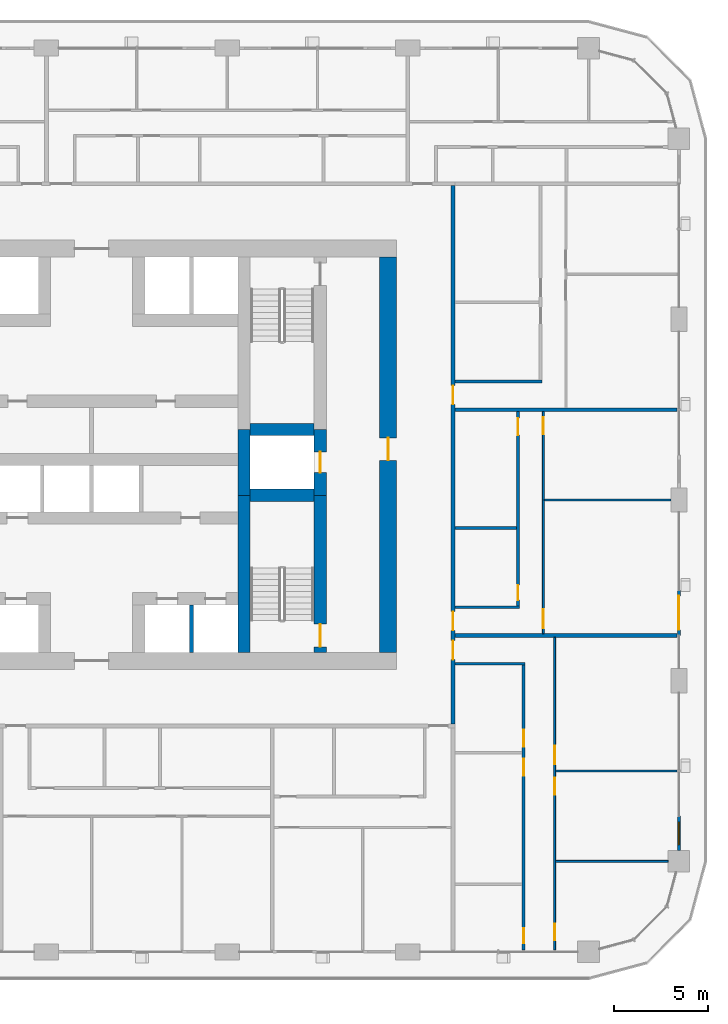
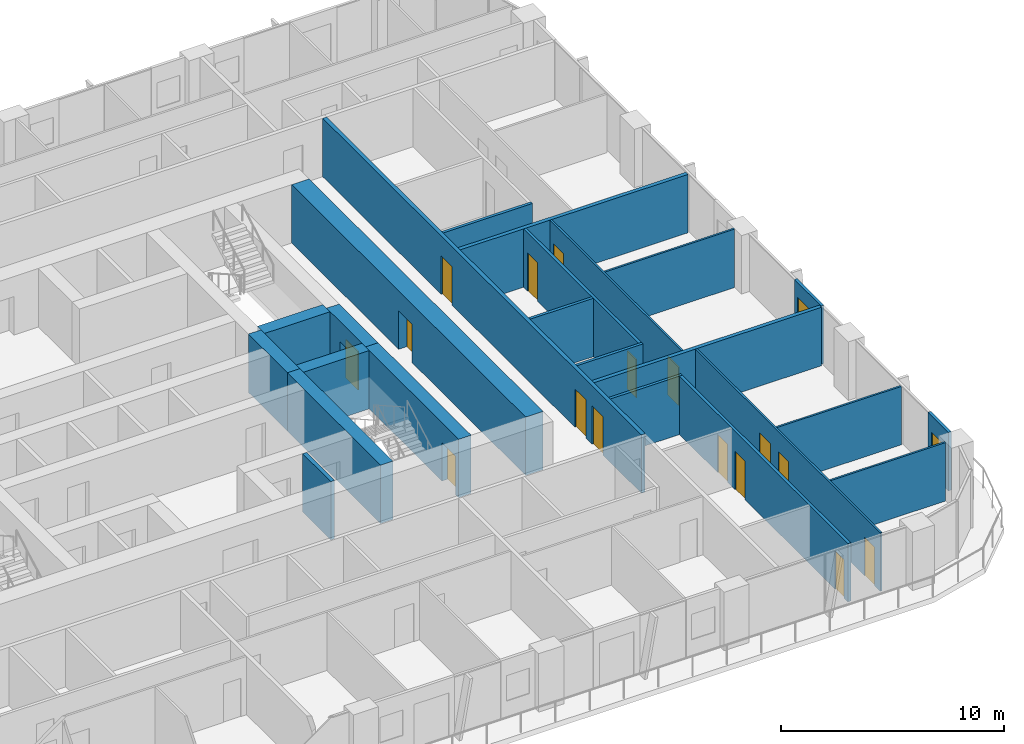
# One storey, part 12 of 22: 24 walls, 17 doors, 1 window, 18 openings.
"""IFC4 building model written with IfcOpenShell, lengths in metres."""

from ifc_helpers import new_model, si_unit, direction, frame, frame_2d, origin, place, context, subcontext, project, spatial, rectangle, extrude, material, layer, layer_set, type_object, element, fill, save


model = new_model("IFC4")

# Units and contexts
model_context = context("Model", 3, precision=1e-05, world=origin(), true_north=direction((0.0, 1.0)))
body_context = subcontext(model_context, "Body", "Model", "MODEL_VIEW")
ifc_project = project(units=[si_unit("LENGTHUNIT", "METRE"), si_unit("AREAUNIT", "SQUARE_METRE"), si_unit("VOLUMEUNIT", "CUBIC_METRE"), si_unit("PLANEANGLEUNIT", "RADIAN"), si_unit("MASSUNIT", "GRAM", prefix="KILO")], contexts=[model_context])

# Site, building, storey
site_placement = place(None, origin())
site = spatial("IfcSite", under=ifc_project, at=site_placement, CompositionType="ELEMENT")
building_placement = place(site_placement, origin())
building = spatial("IfcBuilding", under=site, at=building_placement, Name="Madar Terraces", CompositionType="ELEMENT")
storey_placement = place(building_placement, frame((0.0, 0.0, 62.800048828125)))
storey = spatial("IfcBuildingStorey", under=building, at=storey_placement, Name="L15", CompositionType="ELEMENT", Elevation=62.800048828125)

# Walls
ifc_material_1 = material(Name="Concrete C80/95", Category="concrete")
ifc_layer_1 = layer(ifc_material_1, 0.64990234375)
ifc_layer_set_1 = layer_set([ifc_layer_1], Name="Concrete C80/95 (CIW2 RC wall 650)")
wall_type_1 = type_object("IfcWallType", Name="CIW2 RC wall 650", PredefinedType="SHEAR", material=ifc_layer_set_1)
wall_1_placement = place(storey_placement, frame((39.300048828125, 15.89990234375, 0.0), z_axis=(0.0, 0.0, 1.0), x_axis=(0.0, 1.0, 0.0)))
element("IfcWall", 1, at=wall_1_placement, inside=storey, type_object=wall_type_1, Name="CORE SHAFT WALL", PredefinedType="SHEAR", context=body_context, shape_type="SweptSolid", body=[
    extrude(rectangle(XDim=8.35009765625, YDim=0.64990234375, at=frame_2d((4.175048828125, 0.0))), origin(), (0.0, 0.0, 1.0), 3.199951171875),
])
wall_2_placement = place(storey_placement, frame((39.300048828125, 24.25, 0.0), z_axis=(0.0, 0.0, 1.0), x_axis=(0.0, 1.0, 0.0)))
element("IfcWall", 2, at=wall_2_placement, inside=storey, type_object=wall_type_1, Name="CORE SHAFT WALL", PredefinedType="SHEAR", context=body_context, shape_type="SweptSolid", body=[
    extrude(rectangle(XDim=3.5, YDim=0.64990234375, at=frame_2d((1.75, 0.0))), origin(), (0.0, 0.0, 1.0), 3.199951171875),
])

# Wall, opening, door
wall_3_placement = place(storey_placement, frame((43.35009765625, 15.89990234375, 0.0), z_axis=(0.0, 0.0, 1.0), x_axis=(0.0, 1.0, 0.0)))
wall_3 = element("IfcWall", 3, at=wall_3_placement, inside=storey, type_object=wall_type_1, Name="CORE SHAFT WALL", PredefinedType="SHEAR", context=body_context, shape_type="SweptSolid", body=[
    extrude(rectangle(XDim=8.35009765625, YDim=0.64990234375, at=frame_2d((4.175048828125, 0.0))), origin(), (0.0, 0.0, 1.0), 3.199951171875),
])
opening_1_placement = place(wall_3_placement, frame((0.300048828125, 0.0, 0.0)))
opening_1 = element("IfcOpeningElement", 4, at=opening_1_placement, cuts=wall_3, Name="Opening SD1", PredefinedType="OPENING", context=body_context, shape_type="SweptSolid", body=[
    extrude(rectangle(XDim=1.199951171875, YDim=2.10009765625, at=frame_2d((0.60009765625, 1.050048828125))), frame((0.0, 0.3349609375, 0.0), z_axis=(0.0, -1.0, 0.0), x_axis=(1.0, 0.0, 0.0)), (0.0, 0.0, 1.0), 0.669921875),
])
ifc_material_2 = material(Name="Steel door leaf", Category="steel")
door_type_1 = type_object("IfcDoorType", Name="Stair door 1200 x 2100", OperationType="NOTDEFINED", PredefinedType="DOOR", material=ifc_material_2)
door_1_placement = place(opening_1_placement, origin())
door_1 = element("IfcDoor", 5, at=door_1_placement, inside=storey, type_object=door_type_1, Name="STAIR DOOR", OperationType="SINGLE_SWING_RIGHT", OverallHeight=2.10009765625, OverallWidth=1.199951171875, PredefinedType="DOOR", context=body_context, shape_type="SweptSolid", body=[
    extrude(rectangle(XDim=1.199951171875, YDim=2.10009765625, at=frame_2d((0.60009765625, 1.050048828125))), frame((0.0, 0.02490234375, 0.0), z_axis=(0.0, -1.0, 0.0), x_axis=(1.0, 0.0, 0.0)), (0.0, 0.0, 1.0), 0.050048828125),
])
fill(opening_1, door_1)

wall_4_placement = place(storey_placement, frame((43.35009765625, 24.25, 0.0), z_axis=(0.0, 0.0, 1.0), x_axis=(0.0, 1.0, 0.0)))
wall_4 = element("IfcWall", 6, at=wall_4_placement, inside=storey, type_object=wall_type_1, Name="CORE SHAFT WALL", PredefinedType="SHEAR", context=body_context, shape_type="SweptSolid", body=[
    extrude(rectangle(XDim=3.5, YDim=0.64990234375, at=frame_2d((1.75, 0.0))), origin(), (0.0, 0.0, 1.0), 3.199951171875),
])
opening_2_placement = place(wall_4_placement, frame((1.199951171875, 0.0, 0.0)))
opening_2 = element("IfcOpeningElement", 7, at=opening_2_placement, cuts=wall_4, Name="Opening LD", PredefinedType="OPENING", context=body_context, shape_type="SweptSolid", body=[
    extrude(rectangle(XDim=1.10009765625, YDim=2.10009765625, at=frame_2d((0.550048828125, 1.050048828125))), frame((0.0, 0.3349609375, 0.0), z_axis=(0.0, -1.0, 0.0), x_axis=(1.0, 0.0, 0.0)), (0.0, 0.0, 1.0), 0.669921875),
])
ifc_material_3 = material(Name="Stainless steel panel", Category="steel")
door_type_2 = type_object("IfcDoorType", Name="Lift landing door 1100 x 2100", OperationType="DOUBLE_DOOR_SLIDING", PredefinedType="DOOR", material=ifc_material_3)
door_2_placement = place(opening_2_placement, origin())
door_2 = element("IfcDoor", 8, at=door_2_placement, inside=storey, type_object=door_type_2, Name="LIFT LANDING DOOR", OperationType="DOUBLE_DOOR_SLIDING", OverallHeight=2.10009765625, OverallWidth=1.10009765625, PredefinedType="DOOR", context=body_context, shape_type="SweptSolid", body=[
    extrude(rectangle(XDim=1.10009765625, YDim=2.10009765625, at=frame_2d((0.550048828125, 1.050048828125))), frame((0.0, 0.02490234375, 0.0), z_axis=(0.0, -1.0, 0.0), x_axis=(1.0, 0.0, 0.0)), (0.0, 0.0, 1.0), 0.050048828125),
])
fill(opening_2, door_2)

# Walls
for number, where, z_axis, x_axis, name in (
    (9, (39.625, 24.25, 0.0), (0.0, 0.0, 1.0), (1.0, 0.0, 0.0), "CORE SHAFT WALL"),
    (10, (39.625, 27.75, 0.0), (0.0, 0.0, 1.0), (1.0, 0.0, 0.0), "CORE SHAFT WALL"),
):
    element("IfcWall", number, at=place(storey_placement, frame(where, z_axis=z_axis, x_axis=x_axis)), inside=storey, type_object=wall_type_1, Name=name, PredefinedType="SHEAR", context=body_context, shape_type="SweptSolid", body=[
        extrude(rectangle(XDim=3.39990234375, YDim=0.64990234375, at=frame_2d((1.699951171875, 0.0))), origin(), (0.0, 0.0, 1.0), 3.199951171875),
    ])

# Wall, opening, door
ifc_material_4 = material(Name="Concrete C80/95", Category="concrete")
ifc_layer_2 = layer(ifc_material_4, 0.89990234375)
ifc_layer_set_2 = layer_set([ifc_layer_2], Name="Concrete C80/95 (CRW2 RC wall 900)")
wall_type_2 = type_object("IfcWallType", Name="CRW2 RC wall 900", PredefinedType="SHEAR", material=ifc_layer_set_2)
wall_5_placement = place(storey_placement, frame((46.949951171875, 15.89990234375, 0.0), z_axis=(0.0, 0.0, 1.0), x_axis=(0.0, 1.0, 0.0)))
wall_5 = element("IfcWall", 11, at=wall_5_placement, inside=storey, type_object=wall_type_2, Name="CORE OUTER WALL", PredefinedType="SHEAR", context=body_context, shape_type="SweptSolid", body=[
    extrude(rectangle(XDim=21.0, YDim=0.89990234375, at=frame_2d((10.5, 0.0))), origin(), (0.0, 0.0, 1.0), 3.199951171875),
])
opening_3_placement = place(wall_5_placement, frame((10.199951171875, 0.0, 0.0)))
opening_3 = element("IfcOpeningElement", 12, at=opening_3_placement, cuts=wall_5, Name="Opening SD1", PredefinedType="OPENING", context=body_context, shape_type="SweptSolid", body=[
    extrude(rectangle(XDim=1.199951171875, YDim=2.10009765625, at=frame_2d((0.60009765625, 1.050048828125))), frame((0.0, 0.4599609375, 0.0), z_axis=(0.0, -1.0, 0.0), x_axis=(1.0, 0.0, 0.0)), (0.0, 0.0, 1.0), 0.919921875),
])
door_3_placement = place(opening_3_placement, origin())
door_3 = element("IfcDoor", 13, at=door_3_placement, inside=storey, type_object=door_type_1, Name="STAIR DOOR", OperationType="SINGLE_SWING_LEFT", OverallHeight=2.10009765625, OverallWidth=1.199951171875, PredefinedType="DOOR", context=body_context, shape_type="SweptSolid", body=[
    extrude(rectangle(XDim=1.199951171875, YDim=2.10009765625, at=frame_2d((0.60009765625, 1.050048828125))), frame((0.0, 0.02490234375, 0.0), z_axis=(0.0, -1.0, 0.0), x_axis=(1.0, 0.0, 0.0)), (0.0, 0.0, 1.0), 0.050048828125),
])
fill(opening_3, door_3)

# Wall
ifc_material_5 = material(Name="Concrete C40/50", Category="concrete")
ifc_layer_3 = layer(ifc_material_5, 0.199951171875)
ifc_layer_set_3 = layer_set([ifc_layer_3], Name="Core shaft dividing wall 200 C40/50")
wall_type_3 = type_object("IfcWallType", Name="Core shaft dividing wall 200 C40/50", PredefinedType="SOLIDWALL", material=ifc_layer_set_3)
wall_6_placement = place(storey_placement, frame((36.5, 15.89990234375, 0.0), z_axis=(0.0, 0.0, 1.0), x_axis=(0.0, 1.0, 0.0)))
element("IfcWall", 14, at=wall_6_placement, inside=storey, type_object=wall_type_3, Name="SHAFT DIVIDING WALL", PredefinedType="SOLIDWALL", context=body_context, shape_type="SweptSolid", body=[
    extrude(rectangle(XDim=2.525146484375, YDim=0.199951171875, at=frame_2d((1.2626953125, 0.0))), origin(), (0.0, 0.0, 1.0), 3.199951171875),
])

# Wall, opening, window
ifc_material_6 = material(Name="Aluminium composite panel, black, over insulated backing", Category="aluminium")
ifc_layer_4 = layer(ifc_material_6, 0.14990234375)
ifc_layer_set_4 = layer_set([ifc_layer_4], Name="Facade bay panel 150")
wall_type_4 = type_object("IfcWallType", Name="Facade bay panel 150", PredefinedType="SOLIDWALL", material=ifc_layer_set_4)
wall_7_placement = place(storey_placement, frame((62.39990234375, 5.375, 0.0), z_axis=(0.0, 0.0, 1.0), x_axis=(0.0, 1.0, 0.0)))
wall_7 = element("IfcWall", 15, at=wall_7_placement, inside=storey, type_object=wall_type_4, Name="Facade bay panel", PredefinedType="SOLIDWALL", context=body_context, shape_type="SweptSolid", body=[
    extrude(rectangle(XDim=1.824951171875, YDim=0.14990234375, at=frame_2d((0.91259765625, 0.0))), origin(), (0.0, 0.0, 1.0), 3.199951171875),
])
opening_4_placement = place(wall_7_placement, frame((0.3125, 0.0, 0.89990234375)))
opening_4 = element("IfcOpeningElement", 16, at=opening_4_placement, cuts=wall_7, Name="Opening W1", PredefinedType="OPENING", context=body_context, shape_type="SweptSolid", body=[
    extrude(rectangle(XDim=1.199951171875, YDim=1.39990234375, at=frame_2d((0.60009765625, 0.699951171875))), frame((0.0, 0.0849609375, 0.0), z_axis=(0.0, -1.0, 0.0), x_axis=(1.0, 0.0, 0.0)), (0.0, 0.0, 1.0), 0.169921875),
])
ifc_material_7 = material(Name="Glass, clear, with black aluminium frame", Category="aluminium")
window_type = type_object("IfcWindowType", Name="Vent window 1200 x 1400", PartitioningType="SINGLE_PANEL", PredefinedType="WINDOW", material=ifc_material_7)
window_placement = place(opening_4_placement, origin())
window = element("IfcWindow", 17, at=window_placement, inside=storey, type_object=window_type, Name="Operable vent window", OverallHeight=1.39990234375, OverallWidth=1.199951171875, PartitioningType="SINGLE_PANEL", PredefinedType="WINDOW", context=body_context, shape_type="SweptSolid", body=[
    extrude(rectangle(XDim=1.199951171875, YDim=1.39990234375, at=frame_2d((0.60009765625, 0.699951171875))), frame((0.0, 0.030029296875, 0.0), z_axis=(0.0, -1.0, 0.0), x_axis=(1.0, 0.0, 0.0)), (0.0, 0.0, 1.0), 0.06005859375),
])
fill(opening_4, window)

# Wall, opening, door
wall_8_placement = place(storey_placement, frame((62.39990234375, 16.800048828125, 0.0), z_axis=(0.0, 0.0, 1.0), x_axis=(0.0, 1.0, 0.0)))
wall_8 = element("IfcWall", 18, at=wall_8_placement, inside=storey, type_object=wall_type_4, Name="Facade bay panel", PredefinedType="SOLIDWALL", context=body_context, shape_type="SweptSolid", body=[
    extrude(rectangle(XDim=2.39990234375, YDim=0.14990234375, at=frame_2d((1.199951171875, 0.0))), origin(), (0.0, 0.0, 1.0), 3.199951171875),
])
opening_5_placement = place(wall_8_placement, frame((0.300048828125, 0.0, 0.0)))
opening_5 = element("IfcOpeningElement", 19, at=opening_5_placement, cuts=wall_8, Name="Opening ED1", PredefinedType="OPENING", context=body_context, shape_type="SweptSolid", body=[
    extrude(rectangle(XDim=1.800048828125, YDim=2.39990234375, at=frame_2d((0.89990234375, 1.199951171875))), frame((0.0, 0.0849609375, 0.0), z_axis=(0.0, -1.0, 0.0), x_axis=(1.0, 0.0, 0.0)), (0.0, 0.0, 1.0), 0.169921875),
])
ifc_material_8 = material(Name="Glass, clear, with black aluminium frame", Category="aluminium")
door_type_3 = type_object("IfcDoorType", Name="Balcony and terrace sliding door 1800 x 2400", OperationType="SLIDING_TO_LEFT", PredefinedType="DOOR", material=ifc_material_8)
door_4_placement = place(opening_5_placement, origin())
door_4 = element("IfcDoor", 20, at=door_4_placement, inside=storey, type_object=door_type_3, Name="Balcony door", OperationType="SLIDING_TO_LEFT", OverallHeight=2.39990234375, OverallWidth=1.800048828125, PredefinedType="DOOR", context=body_context, shape_type="SweptSolid", body=[
    extrude(rectangle(XDim=1.800048828125, YDim=2.39990234375, at=frame_2d((0.89990234375, 1.199951171875))), frame((0.0, 0.02490234375, 0.0), z_axis=(0.0, -1.0, 0.0), x_axis=(1.0, 0.0, 0.0)), (0.0, 0.0, 1.0), 0.050048828125),
])
fill(opening_5, door_4)

# Walls
ifc_material_9 = material(Name="Gypsum board on steel studs", Category="steel")
ifc_layer_5 = layer(ifc_material_9, 0.10009765625)
ifc_layer_set_5 = layer_set([ifc_layer_5], Name="Flat partition 100")
wall_type_5 = type_object("IfcWallType", Name="Flat partition 100", PredefinedType="PARTITIONING", material=ifc_layer_set_5)
wall_9_placement = place(storey_placement, frame((55.85009765625, 9.60009765625, 0.0), z_axis=(0.0, 0.0, 1.0), x_axis=(1.0, 0.0, 0.0)))
element("IfcWall", 21, at=wall_9_placement, inside=storey, type_object=wall_type_5, Name="Flat partition 100", PredefinedType="PARTITIONING", context=body_context, shape_type="SweptSolid", body=[
    extrude(rectangle(XDim=6.449951171875, YDim=0.10009765625, at=frame_2d((3.22509765625, 0.0))), origin(), (0.0, 0.0, 1.0), 3.199951171875),
])
wall_10_placement = place(storey_placement, frame((55.85009765625, 4.800048828125, 0.0), z_axis=(0.0, 0.0, 1.0), x_axis=(1.0, 0.0, 0.0)))
element("IfcWall", 22, at=wall_10_placement, inside=storey, type_object=wall_type_5, Name="Flat partition 100", PredefinedType="PARTITIONING", context=body_context, shape_type="SweptSolid", body=[
    extrude(rectangle(XDim=5.974853515625, YDim=0.10009765625, at=frame_2d((2.9873046875, 0.0))), origin(), (0.0, 0.0, 1.0), 3.199951171875),
])

# Wall, openings, doors
wall_11_placement = place(storey_placement, frame((55.800048828125, 16.699951171875, 0.0), z_axis=(0.0, 0.0, 1.0), x_axis=(0.0, -1.0, 0.0)))
wall_11 = element("IfcWall", 23, at=wall_11_placement, inside=storey, type_object=wall_type_5, Name="Flat partition 100", PredefinedType="PARTITIONING", context=body_context, shape_type="SweptSolid", body=[
    extrude(rectangle(XDim=16.599853515625, YDim=0.10009765625, at=frame_2d((8.2998046875, 0.0))), origin(), (0.0, 0.0, 1.0), 3.199951171875),
])
opening_6_placement = place(wall_11_placement, frame((5.75, 0.0, 0.0)))
opening_6 = element("IfcOpeningElement", 24, at=opening_6_placement, cuts=wall_11, Name="Opening D3", PredefinedType="OPENING", context=body_context, shape_type="SweptSolid", body=[
    extrude(rectangle(XDim=1.0, YDim=2.10009765625, at=frame_2d((0.5, 1.050048828125))), frame((0.0, 0.06005859375, 0.0), z_axis=(0.0, -1.0, 0.0), x_axis=(1.0, 0.0, 0.0)), (0.0, 0.0, 1.0), 0.1201171875),
])
opening_7_placement = place(wall_11_placement, frame((7.449951171875, 0.0, 0.0)))
opening_7 = element("IfcOpeningElement", 25, at=opening_7_placement, cuts=wall_11, Name="Opening D2", PredefinedType="OPENING", context=body_context, shape_type="SweptSolid", body=[
    extrude(rectangle(XDim=0.89990234375, YDim=2.10009765625, at=frame_2d((0.449951171875, 1.050048828125))), frame((0.0, 0.06005859375, 0.0), z_axis=(0.0, -1.0, 0.0), x_axis=(1.0, 0.0, 0.0)), (0.0, 0.0, 1.0), 0.1201171875),
])
opening_8_placement = place(wall_11_placement, frame((15.199951171875, 0.0, 0.0)))
opening_8 = element("IfcOpeningElement", 26, at=opening_8_placement, cuts=wall_11, Name="Opening D2", PredefinedType="OPENING", context=body_context, shape_type="SweptSolid", body=[
    extrude(rectangle(XDim=0.89990234375, YDim=2.10009765625, at=frame_2d((0.449951171875, 1.050048828125))), frame((0.0, 0.06005859375, 0.0), z_axis=(0.0, -1.0, 0.0), x_axis=(1.0, 0.0, 0.0)), (0.0, 0.0, 1.0), 0.1201171875),
])
ifc_material_10 = material(Name="Timber door leaf", Category="wood")
door_type_4 = type_object("IfcDoorType", Name="Flat living room door 1000", OperationType="NOTDEFINED", PredefinedType="DOOR", material=ifc_material_10)
door_5_placement = place(opening_6_placement, origin())
door_5 = element("IfcDoor", 27, at=door_5_placement, inside=storey, type_object=door_type_4, Name="Flat living room door 1000", OperationType="SINGLE_SWING_RIGHT", OverallHeight=2.10009765625, OverallWidth=1.0, PredefinedType="DOOR", context=body_context, shape_type="SweptSolid", body=[
    extrude(rectangle(XDim=1.0, YDim=2.10009765625, at=frame_2d((0.5, 1.050048828125))), frame((0.0, 0.02490234375, 0.0), z_axis=(0.0, -1.0, 0.0), x_axis=(1.0, 0.0, 0.0)), (0.0, 0.0, 1.0), 0.050048828125),
])
fill(opening_6, door_5)
ifc_material_11 = material(Name="Timber door leaf", Category="wood")
door_type_5 = type_object("IfcDoorType", Name="Flat room door 900", OperationType="NOTDEFINED", PredefinedType="DOOR", material=ifc_material_11)
door_6_placement = place(opening_7_placement, origin())
door_6 = element("IfcDoor", 28, at=door_6_placement, inside=storey, type_object=door_type_5, Name="Flat room door 900", OperationType="SINGLE_SWING_LEFT", OverallHeight=2.10009765625, OverallWidth=0.89990234375, PredefinedType="DOOR", context=body_context, shape_type="SweptSolid", body=[
    extrude(rectangle(XDim=0.89990234375, YDim=2.10009765625, at=frame_2d((0.449951171875, 1.050048828125))), frame((0.0, 0.02490234375, 0.0), z_axis=(0.0, -1.0, 0.0), x_axis=(1.0, 0.0, 0.0)), (0.0, 0.0, 1.0), 0.050048828125),
])
fill(opening_7, door_6)
door_7_placement = place(opening_8_placement, origin())
door_7 = element("IfcDoor", 29, at=door_7_placement, inside=storey, type_object=door_type_5, Name="Flat room door 900", OperationType="SINGLE_SWING_RIGHT", OverallHeight=2.10009765625, OverallWidth=0.89990234375, PredefinedType="DOOR", context=body_context, shape_type="SweptSolid", body=[
    extrude(rectangle(XDim=0.89990234375, YDim=2.10009765625, at=frame_2d((0.449951171875, 1.050048828125))), frame((0.0, 0.02490234375, 0.0), z_axis=(0.0, -1.0, 0.0), x_axis=(1.0, 0.0, 0.0)), (0.0, 0.0, 1.0), 0.050048828125),
])
fill(opening_8, door_7)

# Wall
wall_12_placement = place(storey_placement, frame((55.25, 24.0, 0.0), z_axis=(0.0, 0.0, 1.0), x_axis=(1.0, 0.0, 0.0)))
element("IfcWall", 30, at=wall_12_placement, inside=storey, type_object=wall_type_5, Name="Flat partition 100", PredefinedType="PARTITIONING", context=body_context, shape_type="SweptSolid", body=[
    extrude(rectangle(XDim=6.72509765625, YDim=0.10009765625, at=frame_2d((3.362548828125, 0.0))), origin(), (0.0, 0.0, 1.0), 3.199951171875),
])

# Wall, openings, doors
wall_13_placement = place(storey_placement, frame((55.199951171875, 28.699951171875, 0.0), z_axis=(0.0, 0.0, 1.0), x_axis=(0.0, -1.0, 0.0)))
wall_13 = element("IfcWall", 31, at=wall_13_placement, inside=storey, type_object=wall_type_5, Name="Flat partition 100", PredefinedType="PARTITIONING", context=body_context, shape_type="SweptSolid", body=[
    extrude(rectangle(XDim=11.800048828125, YDim=0.10009765625, at=frame_2d((5.89990234375, 0.0))), origin(), (0.0, 0.0, 1.0), 3.199951171875),
])
opening_9_placement = place(wall_13_placement, frame((10.5, 0.0, 0.0)))
opening_9 = element("IfcOpeningElement", 32, at=opening_9_placement, cuts=wall_13, Name="Opening D3", PredefinedType="OPENING", context=body_context, shape_type="SweptSolid", body=[
    extrude(rectangle(XDim=1.0, YDim=2.10009765625, at=frame_2d((0.5, 1.050048828125))), frame((0.0, 0.06005859375, 0.0), z_axis=(0.0, -1.0, 0.0), x_axis=(1.0, 0.0, 0.0)), (0.0, 0.0, 1.0), 0.1201171875),
])
opening_10_placement = place(wall_13_placement, frame((0.300048828125, 0.0, 0.0)))
opening_10 = element("IfcOpeningElement", 33, at=opening_10_placement, cuts=wall_13, Name="Opening D2", PredefinedType="OPENING", context=body_context, shape_type="SweptSolid", body=[
    extrude(rectangle(XDim=0.89990234375, YDim=2.10009765625, at=frame_2d((0.449951171875, 1.050048828125))), frame((0.0, 0.06005859375, 0.0), z_axis=(0.0, -1.0, 0.0), x_axis=(1.0, 0.0, 0.0)), (0.0, 0.0, 1.0), 0.1201171875),
])
door_8_placement = place(opening_9_placement, origin())
door_8 = element("IfcDoor", 34, at=door_8_placement, inside=storey, type_object=door_type_4, Name="Flat living room door 1000", OperationType="SINGLE_SWING_RIGHT", OverallHeight=2.10009765625, OverallWidth=1.0, PredefinedType="DOOR", context=body_context, shape_type="SweptSolid", body=[
    extrude(rectangle(XDim=1.0, YDim=2.10009765625, at=frame_2d((0.5, 1.050048828125))), frame((0.0, 0.02490234375, 0.0), z_axis=(0.0, -1.0, 0.0), x_axis=(1.0, 0.0, 0.0)), (0.0, 0.0, 1.0), 0.050048828125),
])
fill(opening_9, door_8)
door_9_placement = place(opening_10_placement, origin())
door_9 = element("IfcDoor", 35, at=door_9_placement, inside=storey, type_object=door_type_5, Name="Flat room door 900", OperationType="SINGLE_SWING_LEFT", OverallHeight=2.10009765625, OverallWidth=0.89990234375, PredefinedType="DOOR", context=body_context, shape_type="SweptSolid", body=[
    extrude(rectangle(XDim=0.89990234375, YDim=2.10009765625, at=frame_2d((0.449951171875, 1.050048828125))), frame((0.0, 0.02490234375, 0.0), z_axis=(0.0, -1.0, 0.0), x_axis=(1.0, 0.0, 0.0)), (0.0, 0.0, 1.0), 0.050048828125),
])
fill(opening_10, door_9)

ifc_material_12 = material(Name="Lightweight blockwork", Category="masonry")
ifc_layer_6 = layer(ifc_material_12, 0.199951171875)
ifc_layer_set_6 = layer_set([ifc_layer_6], Name="Flat party and entrance wall 200")
wall_type_6 = type_object("IfcWallType", Name="Flat party and entrance wall 200", PredefinedType="PARTITIONING", material=ifc_layer_set_6)
wall_14_placement = place(storey_placement, frame((50.39990234375, 40.699951171875, 0.0), z_axis=(0.0, 0.0, 1.0), x_axis=(0.0, -1.0, 0.0)))
wall_14 = element("IfcWall", 36, at=wall_14_placement, inside=storey, type_object=wall_type_6, Name="Flat party and entrance wall 200", PredefinedType="PARTITIONING", context=body_context, shape_type="SweptSolid", body=[
    extrude(rectangle(XDim=28.599853515625, YDim=0.199951171875, at=frame_2d((14.2998046875, 0.0))), origin(), (0.0, 0.0, 1.0), 3.199951171875),
])
opening_11_placement = place(wall_14_placement, frame((24.175048828125, 0.0, 0.0)))
opening_11 = element("IfcOpeningElement", 37, at=opening_11_placement, cuts=wall_14, Name="Opening D1", PredefinedType="OPENING", context=body_context, shape_type="SweptSolid", body=[
    extrude(rectangle(XDim=1.0, YDim=2.10009765625, at=frame_2d((0.5, 1.050048828125))), frame((0.0, 0.10986328125, 0.0), z_axis=(0.0, -1.0, 0.0), x_axis=(1.0, 0.0, 0.0)), (0.0, 0.0, 1.0), 0.219970703125),
])
opening_12_placement = place(wall_14_placement, frame((22.625, 0.0, 0.0)))
opening_12 = element("IfcOpeningElement", 38, at=opening_12_placement, cuts=wall_14, Name="Opening D1", PredefinedType="OPENING", context=body_context, shape_type="SweptSolid", body=[
    extrude(rectangle(XDim=1.0, YDim=2.10009765625, at=frame_2d((0.5, 1.050048828125))), frame((0.0, 0.10986328125, 0.0), z_axis=(0.0, -1.0, 0.0), x_axis=(1.0, 0.0, 0.0)), (0.0, 0.0, 1.0), 0.219970703125),
])
opening_13_placement = place(wall_14_placement, frame((10.625, 0.0, 0.0)))
opening_13 = element("IfcOpeningElement", 39, at=opening_13_placement, cuts=wall_14, Name="Opening D1", PredefinedType="OPENING", context=body_context, shape_type="SweptSolid", body=[
    extrude(rectangle(XDim=1.0, YDim=2.10009765625, at=frame_2d((0.5, 1.050048828125))), frame((0.0, 0.10986328125, 0.0), z_axis=(0.0, -1.0, 0.0), x_axis=(1.0, 0.0, 0.0)), (0.0, 0.0, 1.0), 0.219970703125),
])
ifc_material_13 = material(Name="Timber fire door leaf", Category="wood")
door_type_6 = type_object("IfcDoorType", Name="Flat entrance door 1000 FD30S", OperationType="NOTDEFINED", PredefinedType="DOOR", material=ifc_material_13)
door_10_placement = place(opening_11_placement, origin())
door_10 = element("IfcDoor", 40, at=door_10_placement, inside=storey, type_object=door_type_6, Name="Flat entrance door 1000 FD30S", OperationType="SINGLE_SWING_LEFT", OverallHeight=2.10009765625, OverallWidth=1.0, PredefinedType="DOOR", context=body_context, shape_type="SweptSolid", body=[
    extrude(rectangle(XDim=1.0, YDim=2.10009765625, at=frame_2d((0.5, 1.050048828125))), frame((0.0, 0.02490234375, 0.0), z_axis=(0.0, -1.0, 0.0), x_axis=(1.0, 0.0, 0.0)), (0.0, 0.0, 1.0), 0.050048828125),
])
fill(opening_11, door_10)
door_11_placement = place(opening_12_placement, origin())
door_11 = element("IfcDoor", 41, at=door_11_placement, inside=storey, type_object=door_type_6, Name="Flat entrance door 1000 FD30S", OperationType="SINGLE_SWING_RIGHT", OverallHeight=2.10009765625, OverallWidth=1.0, PredefinedType="DOOR", context=body_context, shape_type="SweptSolid", body=[
    extrude(rectangle(XDim=1.0, YDim=2.10009765625, at=frame_2d((0.5, 1.050048828125))), frame((0.0, 0.02490234375, 0.0), z_axis=(0.0, -1.0, 0.0), x_axis=(1.0, 0.0, 0.0)), (0.0, 0.0, 1.0), 0.050048828125),
])
fill(opening_12, door_11)
door_12_placement = place(opening_13_placement, origin())
door_12 = element("IfcDoor", 42, at=door_12_placement, inside=storey, type_object=door_type_6, Name="Flat entrance door 1000 FD30S", OperationType="SINGLE_SWING_RIGHT", OverallHeight=2.10009765625, OverallWidth=1.0, PredefinedType="DOOR", context=body_context, shape_type="SweptSolid", body=[
    extrude(rectangle(XDim=1.0, YDim=2.10009765625, at=frame_2d((0.5, 1.050048828125))), frame((0.0, 0.02490234375, 0.0), z_axis=(0.0, -1.0, 0.0), x_axis=(1.0, 0.0, 0.0)), (0.0, 0.0, 1.0), 0.050048828125),
])
fill(opening_13, door_12)

# Walls
for number, where, z_axis, x_axis, name in (
    (43, (50.5, 16.800048828125, 0.0), (0.0, 0.0, 1.0), (1.0, 0.0, 0.0), "Flat party and entrance wall 200"),
    (44, (50.5, 28.800048828125, 0.0), (0.0, 0.0, 1.0), (1.0, 0.0, 0.0), "Flat party and entrance wall 200"),
):
    element("IfcWall", number, at=place(storey_placement, frame(where, z_axis=z_axis, x_axis=x_axis)), inside=storey, type_object=wall_type_6, Name=name, PredefinedType="PARTITIONING", context=body_context, shape_type="SweptSolid", body=[
        extrude(rectangle(XDim=11.800048828125, YDim=0.199951171875, at=frame_2d((5.89990234375, 0.0))), origin(), (0.0, 0.0, 1.0), 3.199951171875),
    ])
ifc_material_14 = material(Name="Lightweight blockwork", Category="masonry")
ifc_layer_7 = layer(ifc_material_14, 0.14990234375)
ifc_layer_set_7 = layer_set([ifc_layer_7], Name="Flat wet-room partition 150")
wall_type_7 = type_object("IfcWallType", Name="Flat wet-room partition 150", PredefinedType="PARTITIONING", material=ifc_layer_set_7)
wall_15_placement = place(storey_placement, frame((50.5, 15.300048828125, 0.0), z_axis=(0.0, 0.0, 1.0), x_axis=(1.0, 0.0, 0.0)))
element("IfcWall", 45, at=wall_15_placement, inside=storey, type_object=wall_type_7, Name="Flat wet-room partition 150", PredefinedType="PARTITIONING", context=body_context, shape_type="SweptSolid", body=[
    extrude(rectangle(XDim=3.72509765625, YDim=0.14990234375, at=frame_2d((1.862548828125, 0.0))), origin(), (0.0, 0.0, 1.0), 3.199951171875),
])

# Wall, openings, doors
wall_16_placement = place(storey_placement, frame((54.14990234375, 0.10009765625, 0.0), z_axis=(0.0, 0.0, 1.0), x_axis=(0.0, 1.0, 0.0)))
wall_16 = element("IfcWall", 46, at=wall_16_placement, inside=storey, type_object=wall_type_7, Name="Flat wet-room partition 150", PredefinedType="PARTITIONING", context=body_context, shape_type="SweptSolid", body=[
    extrude(rectangle(XDim=15.125, YDim=0.14990234375, at=frame_2d((7.5625, 0.0))), origin(), (0.0, 0.0, 1.0), 3.199951171875),
])
opening_14_placement = place(wall_16_placement, frame((10.796142578125, 0.0, 0.0)))
opening_14 = element("IfcOpeningElement", 47, at=opening_14_placement, cuts=wall_16, Name="Opening D5", PredefinedType="OPENING", context=body_context, shape_type="SweptSolid", body=[
    extrude(rectangle(XDim=0.89990234375, YDim=2.10009765625, at=frame_2d((0.449951171875, 1.050048828125))), frame((0.0, 0.0849609375, 0.0), z_axis=(0.0, -1.0, 0.0), x_axis=(1.0, 0.0, 0.0)), (0.0, 0.0, 1.0), 0.169921875),
])
opening_15_placement = place(wall_16_placement, frame((9.24609375, 0.0, 0.0)))
opening_15 = element("IfcOpeningElement", 48, at=opening_15_placement, cuts=wall_16, Name="Opening D2", PredefinedType="OPENING", context=body_context, shape_type="SweptSolid", body=[
    extrude(rectangle(XDim=0.89990234375, YDim=2.10009765625, at=frame_2d((0.449951171875, 1.050048828125))), frame((0.0, 0.0849609375, 0.0), z_axis=(0.0, -1.0, 0.0), x_axis=(1.0, 0.0, 0.0)), (0.0, 0.0, 1.0), 0.169921875),
])
opening_16_placement = place(wall_16_placement, frame((0.35009765625, 0.0, 0.0)))
opening_16 = element("IfcOpeningElement", 49, at=opening_16_placement, cuts=wall_16, Name="Opening D4", PredefinedType="OPENING", context=body_context, shape_type="SweptSolid", body=[
    extrude(rectangle(XDim=0.800048828125, YDim=2.10009765625, at=frame_2d((0.39990234375, 1.050048828125))), frame((0.0, 0.0849609375, 0.0), z_axis=(0.0, -1.0, 0.0), x_axis=(1.0, 0.0, 0.0)), (0.0, 0.0, 1.0), 0.169921875),
])
ifc_material_15 = material(Name="Timber door leaf", Category="wood")
door_type_7 = type_object("IfcDoorType", Name="Flat accessible bathroom door 900", OperationType="NOTDEFINED", PredefinedType="DOOR", material=ifc_material_15)
door_13_placement = place(opening_14_placement, origin())
door_13 = element("IfcDoor", 50, at=door_13_placement, inside=storey, type_object=door_type_7, Name="Flat accessible bathroom door 900", OperationType="SINGLE_SWING_LEFT", OverallHeight=2.10009765625, OverallWidth=0.89990234375, PredefinedType="DOOR", context=body_context, shape_type="SweptSolid", body=[
    extrude(rectangle(XDim=0.89990234375, YDim=2.10009765625, at=frame_2d((0.449951171875, 1.050048828125))), frame((0.0, 0.02490234375, 0.0), z_axis=(0.0, -1.0, 0.0), x_axis=(1.0, 0.0, 0.0)), (0.0, 0.0, 1.0), 0.050048828125),
])
fill(opening_14, door_13)
ifc_material_16 = material(Name="Timber door leaf", Category="wood")
door_type_8 = type_object("IfcDoorType", Name="Flat bathroom door 800", OperationType="NOTDEFINED", PredefinedType="DOOR", material=ifc_material_16)
door_14_placement = place(opening_16_placement, origin())
door_14 = element("IfcDoor", 51, at=door_14_placement, inside=storey, type_object=door_type_8, Name="Flat bathroom door 800", OperationType="SINGLE_SWING_LEFT", OverallHeight=2.10009765625, OverallWidth=0.800048828125, PredefinedType="DOOR", context=body_context, shape_type="SweptSolid", body=[
    extrude(rectangle(XDim=0.800048828125, YDim=2.10009765625, at=frame_2d((0.39990234375, 1.050048828125))), frame((0.0, 0.02490234375, 0.0), z_axis=(0.0, -1.0, 0.0), x_axis=(1.0, 0.0, 0.0)), (0.0, 0.0, 1.0), 0.050048828125),
])
fill(opening_16, door_14)
door_15_placement = place(opening_15_placement, origin())
door_15 = element("IfcDoor", 52, at=door_15_placement, inside=storey, type_object=door_type_5, Name="Flat room door 900", OperationType="SINGLE_SWING_RIGHT", OverallHeight=2.10009765625, OverallWidth=0.89990234375, PredefinedType="DOOR", context=body_context, shape_type="SweptSolid", body=[
    extrude(rectangle(XDim=0.89990234375, YDim=2.10009765625, at=frame_2d((0.449951171875, 1.050048828125))), frame((0.0, 0.02490234375, 0.0), z_axis=(0.0, -1.0, 0.0), x_axis=(1.0, 0.0, 0.0)), (0.0, 0.0, 1.0), 0.050048828125),
])
fill(opening_15, door_15)

# Walls
wall_17_placement = place(storey_placement, frame((50.5, 22.5048828125, 0.0), z_axis=(0.0, 0.0, 1.0), x_axis=(1.0, 0.0, 0.0)))
element("IfcWall", 53, at=wall_17_placement, inside=storey, type_object=wall_type_7, Name="Flat wet-room partition 150", PredefinedType="PARTITIONING", context=body_context, shape_type="SweptSolid", body=[
    extrude(rectangle(XDim=3.27490234375, YDim=0.14990234375, at=frame_2d((1.637451171875, 0.0))), origin(), (0.0, 0.0, 1.0), 3.199951171875),
])
wall_18_placement = place(storey_placement, frame((50.5, 18.300048828125, 0.0), z_axis=(0.0, 0.0, 1.0), x_axis=(1.0, 0.0, 0.0)))
element("IfcWall", 54, at=wall_18_placement, inside=storey, type_object=wall_type_7, Name="Flat wet-room partition 150", PredefinedType="PARTITIONING", context=body_context, shape_type="SweptSolid", body=[
    extrude(rectangle(XDim=3.425048828125, YDim=0.14990234375, at=frame_2d((1.71240234375, 0.0))), origin(), (0.0, 0.0, 1.0), 3.199951171875),
])

# Wall, openings, doors
wall_19_placement = place(storey_placement, frame((53.85009765625, 18.375, 0.0), z_axis=(0.0, 0.0, 1.0), x_axis=(0.0, 1.0, 0.0)))
wall_19 = element("IfcWall", 55, at=wall_19_placement, inside=storey, type_object=wall_type_7, Name="Flat wet-room partition 150", PredefinedType="PARTITIONING", context=body_context, shape_type="SweptSolid", body=[
    extrude(rectangle(XDim=10.324951171875, YDim=0.14990234375, at=frame_2d((5.16259765625, 0.0))), origin(), (0.0, 0.0, 1.0), 3.199951171875),
])
opening_17_placement = place(wall_19_placement, frame((0.300048828125, 0.0, 0.0)))
opening_17 = element("IfcOpeningElement", 56, at=opening_17_placement, cuts=wall_19, Name="Opening D4", PredefinedType="OPENING", context=body_context, shape_type="SweptSolid", body=[
    extrude(rectangle(XDim=0.800048828125, YDim=2.10009765625, at=frame_2d((0.39990234375, 1.050048828125))), frame((0.0, 0.0849609375, 0.0), z_axis=(0.0, -1.0, 0.0), x_axis=(1.0, 0.0, 0.0)), (0.0, 0.0, 1.0), 0.169921875),
])
opening_18_placement = place(wall_19_placement, frame((9.074951171875, 0.0, 0.0)))
opening_18 = element("IfcOpeningElement", 57, at=opening_18_placement, cuts=wall_19, Name="Opening D2", PredefinedType="OPENING", context=body_context, shape_type="SweptSolid", body=[
    extrude(rectangle(XDim=0.89990234375, YDim=2.10009765625, at=frame_2d((0.449951171875, 1.050048828125))), frame((0.0, 0.0849609375, 0.0), z_axis=(0.0, -1.0, 0.0), x_axis=(1.0, 0.0, 0.0)), (0.0, 0.0, 1.0), 0.169921875),
])
door_16_placement = place(opening_17_placement, origin())
door_16 = element("IfcDoor", 58, at=door_16_placement, inside=storey, type_object=door_type_8, Name="Flat bathroom door 800", OperationType="SINGLE_SWING_LEFT", OverallHeight=2.10009765625, OverallWidth=0.800048828125, PredefinedType="DOOR", context=body_context, shape_type="SweptSolid", body=[
    extrude(rectangle(XDim=0.800048828125, YDim=2.10009765625, at=frame_2d((0.39990234375, 1.050048828125))), frame((0.0, 0.02490234375, 0.0), z_axis=(0.0, -1.0, 0.0), x_axis=(1.0, 0.0, 0.0)), (0.0, 0.0, 1.0), 0.050048828125),
])
fill(opening_17, door_16)
door_17_placement = place(opening_18_placement, origin())
door_17 = element("IfcDoor", 59, at=door_17_placement, inside=storey, type_object=door_type_5, Name="Flat room door 900", OperationType="SINGLE_SWING_RIGHT", OverallHeight=2.10009765625, OverallWidth=0.89990234375, PredefinedType="DOOR", context=body_context, shape_type="SweptSolid", body=[
    extrude(rectangle(XDim=0.89990234375, YDim=2.10009765625, at=frame_2d((0.449951171875, 1.050048828125))), frame((0.0, 0.02490234375, 0.0), z_axis=(0.0, -1.0, 0.0), x_axis=(1.0, 0.0, 0.0)), (0.0, 0.0, 1.0), 0.050048828125),
])
fill(opening_18, door_17)

# Wall
wall_20_placement = place(storey_placement, frame((50.5, 30.300048828125, 0.0), z_axis=(0.0, 0.0, 1.0), x_axis=(1.0, 0.0, 0.0)))
element("IfcWall", 60, at=wall_20_placement, inside=storey, type_object=wall_type_7, Name="Flat wet-room partition 150", PredefinedType="PARTITIONING", context=body_context, shape_type="SweptSolid", body=[
    extrude(rectangle(XDim=4.625, YDim=0.14990234375, at=frame_2d((2.3125, 0.0))), origin(), (0.0, 0.0, 1.0), 3.199951171875),
])

save(model, "model.ifc")
